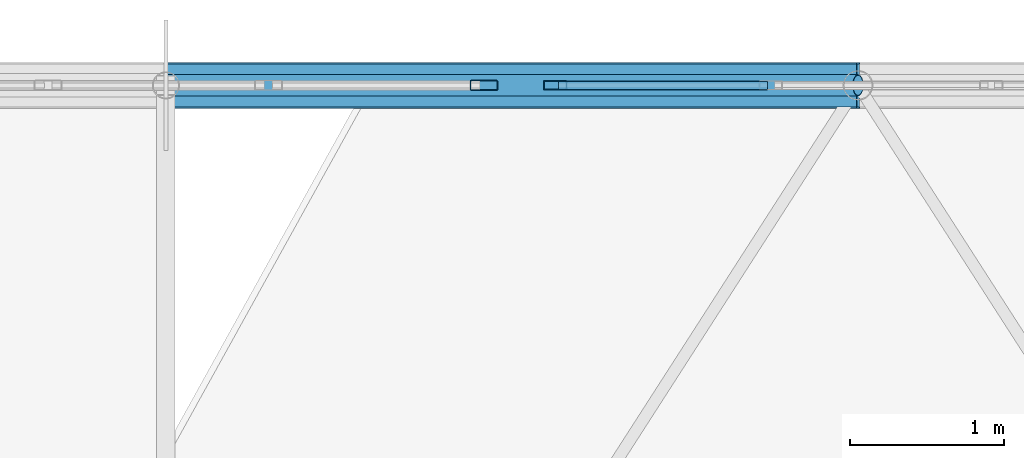
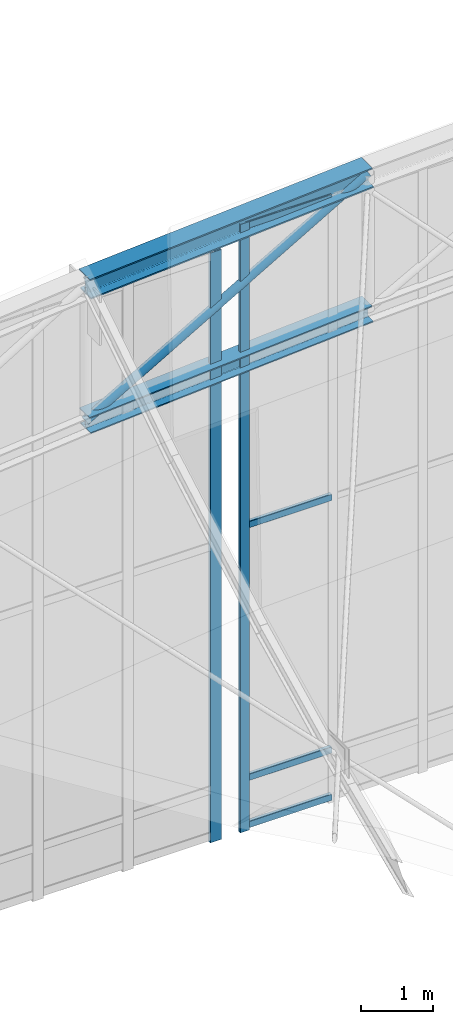
# One storey, part 207 of 262: 9 members, 2 elements without a shape of their own.
"""IFC4 building model written with IfcOpenShell, lengths in metres."""

from ifc_helpers import new_model, si_unit, derived_unit, direction, frame, origin, origin_2d, place, context, subcontext, project, spatial, hollow_rectangle, hollow_circle, i_section, extrude, material, layer, layer_set, material_profile, profile_set, type_object, element, aggregate, save


model = new_model("IFC4")

# Units and contexts
model_context = context("Model", 3, precision=1e-05, world=origin(), true_north=direction((0.0, 1.0)))
body_context = subcontext(model_context, "Body", "Model", "MODEL_VIEW")
ifc_project = project(units=[si_unit("LENGTHUNIT", "METRE"), si_unit("AREAUNIT", "SQUARE_METRE"), si_unit("VOLUMEUNIT", "CUBIC_METRE"), si_unit("PLANEANGLEUNIT", "RADIAN"), si_unit("MASSUNIT", "GRAM", prefix="KILO"), derived_unit("THERMALTRANSMITTANCEUNIT", [(si_unit("POWERUNIT", "WATT"), 1), (si_unit("LENGTHUNIT", "METRE"), -2), (si_unit("THERMODYNAMICTEMPERATUREUNIT", "KELVIN"), -1)])], contexts=[model_context])

# Site, building, storey
site_placement = place(None, origin())
site = spatial("IfcSite", under=ifc_project, at=site_placement, CompositionType="ELEMENT")
building_placement = place(site_placement, origin())
building = spatial("IfcBuilding", under=site, at=building_placement, Name="Almenara Railside Exhibition Hall", CompositionType="ELEMENT")
storey_placement = place(building_placement, frame((0.0, 0.0, 21.699951171875)))
storey = spatial("IfcBuildingStorey", under=building, at=storey_placement, Name="RF", CompositionType="ELEMENT", Elevation=21.699951171875)

# Members
ifc_material_1 = material(Name="Structural steel S355JR", Category="steel")
ifc_material_profile_1 = material_profile(ifc_material_1, i_section(OverallWidth=0.280029296875, OverallDepth=0.280029296875, WebThickness=0.010498046875, FlangeThickness=0.01806640625, FilletRadius=0.02392578125, at=origin_2d()), Name="HEB 280")
ifc_profile_set_1 = profile_set([ifc_material_profile_1], Name="Structural steel S355JR")
member_type_1 = type_object("IfcMemberType", Name="Arched Gable Bottom Chord HEB 280 S355JR", PredefinedType="CHORD", material=ifc_profile_set_1)
member_1_placement = place(storey_placement, frame((151.5, 132.0, 1.050048828125), z_axis=(0.997701025897, 0.0, 0.067769188608), x_axis=(0.0, 1.0, 0.0)))
element("IfcMember", 1, at=member_1_placement, inside=storey, type_object=member_type_1, Name="MEM-BC-V2-07-03", PredefinedType="CHORD", context=body_context, shape_type="SweptSolid", body=[
    extrude(i_section(OverallWidth=0.280029296875, OverallDepth=0.280029296875, WebThickness=0.010498046875, FlangeThickness=0.01806640625, FilletRadius=0.02392578125, at=origin_2d()), origin(), (0.0, 0.0, 1.0), 4.51025390625),
])
ifc_material_profile_2 = material_profile(ifc_material_1, i_section(OverallWidth=0.300048828125, OverallDepth=0.340087890625, WebThickness=0.011962890625, FlangeThickness=0.021484375, FilletRadius=0.027099609375, at=origin_2d()), Name="HEB 340")
ifc_profile_set_2 = profile_set([ifc_material_profile_2], Name="Structural steel S355JR")
member_type_2 = type_object("IfcMemberType", Name="Arched Gable Top Chord HEB 340 S355JR", PredefinedType="CHORD", material=ifc_profile_set_2)
member_2_placement = place(storey_placement, frame((151.5, 132.0, 3.35009765625), z_axis=(0.997704684283, 0.0, 0.067715308162), x_axis=(0.0, 1.0, 0.0)))
element("IfcMember", 2, at=member_2_placement, inside=storey, type_object=member_type_2, Name="MEM-TC-V2-07-03", PredefinedType="CHORD", context=body_context, shape_type="SweptSolid", body=[
    extrude(i_section(OverallWidth=0.300048828125, OverallDepth=0.340087890625, WebThickness=0.011962890625, FlangeThickness=0.021484375, FilletRadius=0.027099609375, at=origin_2d()), origin(), (0.0, 0.0, 1.0), 4.51025390625),
])

# Curtain wall, member
ifc_material_2 = material(Name="Bronze-anodised aluminium and low-E double glazing", Category="aluminium")
ifc_layer = layer(ifc_material_2, 0.179931640625, Name="Bronze-anodised aluminium and low-E double glazing")
ifc_layer_set = layer_set([ifc_layer], Name="Bronze-anodised aluminium and low-E double glazing")
curtain_wall_type = type_object("IfcCurtainWallType", Name="Scroll Gable Tall Curtain Wall 3800x5400", PredefinedType="NOTDEFINED", material=ifc_layer_set)
curtain_wall_1_placement = place(storey_placement, origin())
curtain_wall_1 = element("IfcCurtainWall", 3, at=curtain_wall_1_placement, inside=storey, type_object=curtain_wall_type, Name="Curtain wall CW-G1-226", PredefinedType="NOTDEFINED")
ifc_material_3 = material(Name="Bronze-anodised aluminium", Category="aluminium")
ifc_material_profile_3 = material_profile(ifc_material_3, hollow_rectangle(XDim=0.06005859375, YDim=0.14990234375, WallThickness=0.00341796875, InnerFilletRadius=0.00341796875, OuterFilletRadius=0.007080078125, at=origin_2d()), Name="ALU-MUL 60x150x3.5")
ifc_profile_set_3 = profile_set([ifc_material_profile_3], Name="Bronze-anodised aluminium")
member_type_3 = type_object("IfcMemberType", Name="Curtain Wall Mullion 60x150x3.5", PredefinedType="MULLION", material=ifc_profile_set_3)
member_3_placement = place(storey_placement, frame((154.030029296875, 132.0, -6.73486328125), z_axis=(0.0, 0.0, 1.0), x_axis=(0.0, 1.0, 0.0)))
member_3 = element("IfcMember", 4, at=member_3_placement, type_object=member_type_3, Name="CW-G1-226 mullion 1", PredefinedType="MULLION", context=body_context, shape_type="SweptSolid", body=[
    extrude(hollow_rectangle(XDim=0.06005859375, YDim=0.14990234375, WallThickness=0.00341796875, InnerFilletRadius=0.00341796875, OuterFilletRadius=0.007080078125, at=origin_2d()), origin(), (0.0, 0.0, 1.0), 10.244873046875),
])

curtain_wall_2_placement = place(storey_placement, origin())
curtain_wall_2 = element("IfcCurtainWall", 5, at=curtain_wall_2_placement, inside=storey, type_object=curtain_wall_type, Name="Curtain wall CW-G1-225", PredefinedType="NOTDEFINED")
ifc_material_profile_4 = material_profile(ifc_material_3, hollow_rectangle(XDim=0.06494140625, YDim=0.179931640625, WallThickness=0.00390625, InnerFilletRadius=0.00390625, OuterFilletRadius=0.008056640625, at=origin_2d()), Name="ALU-MUL 65x180x4")
ifc_profile_set_4 = profile_set([ifc_material_profile_4], Name="Bronze-anodised aluminium")
member_type_4 = type_object("IfcMemberType", Name="Curtain Wall Mullion 65x180x4", PredefinedType="MULLION", material=ifc_profile_set_4)
member_4_placement = place(storey_placement, frame((153.5673828125, 132.0, -6.73486328125), z_axis=(0.0, 0.0, 1.0), x_axis=(0.0, 1.0, 0.0)))
member_4 = element("IfcMember", 6, at=member_4_placement, type_object=member_type_4, Name="CW-G1-225 mullion 4", PredefinedType="MULLION", context=body_context, shape_type="SweptSolid", body=[
    extrude(hollow_rectangle(XDim=0.06494140625, YDim=0.179931640625, WallThickness=0.00390625, InnerFilletRadius=0.00390625, OuterFilletRadius=0.008056640625, at=origin_2d()), origin(), (0.0, 0.0, 1.0), 9.934814453125),
])
aggregate(curtain_wall_2, [member_4])

# Member
ifc_material_profile_5 = material_profile(ifc_material_3, hollow_rectangle(XDim=0.06005859375, YDim=0.110107421875, WallThickness=0.0029296875, InnerFilletRadius=0.0029296875, OuterFilletRadius=0.006103515625, at=origin_2d()), Name="ALU-TRN 60x110x3")
ifc_profile_set_5 = profile_set([ifc_material_profile_5], Name="Bronze-anodised aluminium")
member_type_5 = type_object("IfcMemberType", Name="Curtain Wall Transom 60x110x3", PredefinedType="USERDEFINED", material=ifc_profile_set_5)
member_5_placement = place(storey_placement, frame((154.052001953125, 132.0, -6.64501953125), z_axis=(1.0, 0.0, 0.0), x_axis=(0.0, 1.0, 0.0)))
member_5 = element("IfcMember", 7, at=member_5_placement, type_object=member_type_5, Name="CW-G1-226 transom 1.1", ObjectType="TRANSOM", PredefinedType="USERDEFINED", context=body_context, shape_type="SweptSolid", body=[
    extrude(hollow_rectangle(XDim=0.06005859375, YDim=0.110107421875, WallThickness=0.0029296875, InnerFilletRadius=0.0029296875, OuterFilletRadius=0.006103515625, at=origin_2d()), origin(), (0.0, 0.0, 1.0), 1.359375),
])

member_6_placement = place(storey_placement, frame((154.052001953125, 132.0, -5.849853515625), z_axis=(1.0, 0.0, 0.0), x_axis=(0.0, 1.0, 0.0)))
member_6 = element("IfcMember", 8, at=member_6_placement, type_object=member_type_5, Name="CW-G1-226 transom 1.2", ObjectType="TRANSOM", PredefinedType="USERDEFINED", context=body_context, shape_type="SweptSolid", body=[
    extrude(hollow_rectangle(XDim=0.06005859375, YDim=0.110107421875, WallThickness=0.0029296875, InnerFilletRadius=0.0029296875, OuterFilletRadius=0.006103515625, at=origin_2d()), origin(), (0.0, 0.0, 1.0), 1.359375),
])

member_7_placement = place(storey_placement, frame((154.052001953125, 132.0, -1.594970703125), z_axis=(1.0, 0.0, 0.0), x_axis=(0.0, 1.0, 0.0)))
member_7 = element("IfcMember", 9, at=member_7_placement, type_object=member_type_5, Name="CW-G1-226 transom 1.3", ObjectType="TRANSOM", PredefinedType="USERDEFINED", context=body_context, shape_type="SweptSolid", body=[
    extrude(hollow_rectangle(XDim=0.06005859375, YDim=0.110107421875, WallThickness=0.0029296875, InnerFilletRadius=0.0029296875, OuterFilletRadius=0.006103515625, at=origin_2d()), origin(), (0.0, 0.0, 1.0), 1.359375),
])

member_8_placement = place(storey_placement, frame((154.052001953125, 132.0, 3.455078125), z_axis=(1.0, 0.0, 0.0), x_axis=(0.0, 1.0, 0.0)))
member_8 = element("IfcMember", 10, at=member_8_placement, type_object=member_type_5, Name="CW-G1-226 transom 1.4", ObjectType="TRANSOM", PredefinedType="USERDEFINED", context=body_context, shape_type="SweptSolid", body=[
    extrude(hollow_rectangle(XDim=0.06005859375, YDim=0.110107421875, WallThickness=0.0029296875, InnerFilletRadius=0.0029296875, OuterFilletRadius=0.006103515625, at=origin_2d()), origin(), (0.0, 0.0, 1.0), 1.359375),
])

aggregate(curtain_wall_1, [member_3, member_5, member_6, member_7, member_8])

ifc_material_profile_6 = material_profile(ifc_material_1, hollow_circle(Radius=0.06982421875, WallThickness=0.0048828125, at=origin_2d()), Name="CHS 139.7x5")
ifc_profile_set_6 = profile_set([ifc_material_profile_6], Name="Structural steel S355JR")
member_type_6 = type_object("IfcMemberType", Name="Truss Inner Diagonal CHS 139.7x5 S355JR", PredefinedType="BRACE", material=ifc_profile_set_6)
member_9_placement = place(storey_placement, frame((151.5, 132.0, 1.050048828125), z_axis=(0.865409140876, 0.0, 0.501065882782), x_axis=(0.0, 1.0, 0.0)))
element("IfcMember", 11, at=member_9_placement, inside=storey, type_object=member_type_6, Name="MEM-TD-V2-07-03", PredefinedType="BRACE", context=body_context, shape_type="SweptSolid", body=[
    extrude(hollow_circle(Radius=0.06982421875, WallThickness=0.0048828125, at=origin_2d()), origin(), (0.0, 0.0, 1.0), 5.199951171875),
])

save(model, "model.ifc")
